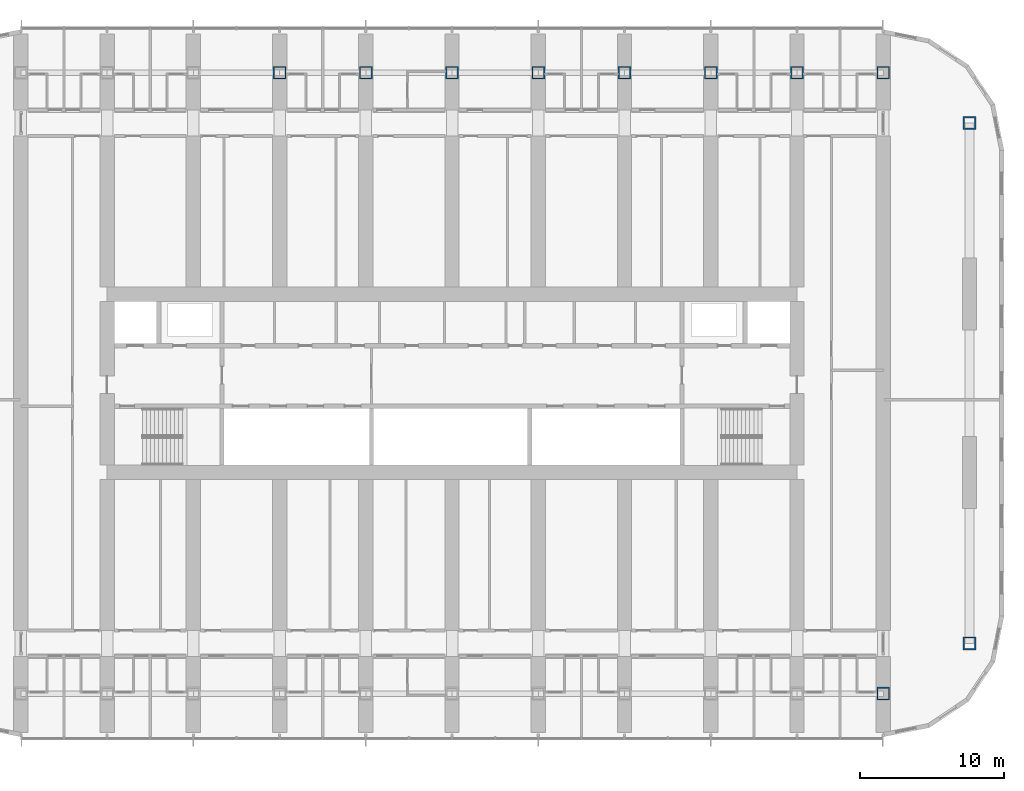
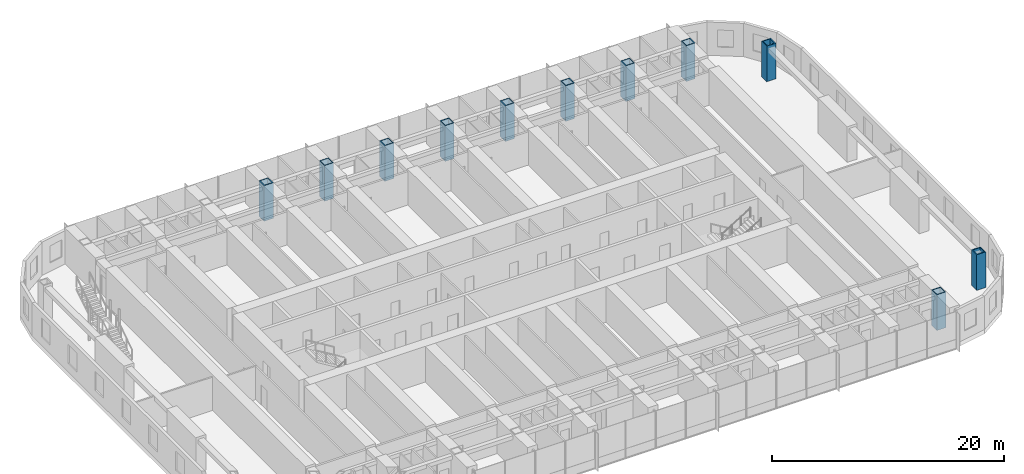
# One storey, part 3 of 28: 11 columns.
"""IFC4 building model written with IfcOpenShell, lengths in metres."""

from ifc_helpers import new_model, si_unit, direction, frame, origin, origin_2d, place, context, subcontext, project, spatial, hollow_rectangle, extrude, material, material_profile, profile_set, type_object, element, save


model = new_model("IFC4")

# Units and contexts
model_context = context("Model", 3, precision=1e-05, world=origin(), true_north=direction((0.0, 1.0)))
body_context = subcontext(model_context, "Body", "Model", "MODEL_VIEW")
ifc_project = project(units=[si_unit("LENGTHUNIT", "METRE"), si_unit("AREAUNIT", "SQUARE_METRE"), si_unit("VOLUMEUNIT", "CUBIC_METRE"), si_unit("PLANEANGLEUNIT", "RADIAN"), si_unit("MASSUNIT", "GRAM", prefix="KILO")], contexts=[model_context])

# Site, building, storey
site_placement = place(None, origin())
site = spatial("IfcSite", under=ifc_project, at=site_placement, CompositionType="ELEMENT")
building_placement = place(site_placement, origin())
building = spatial("IfcBuilding", under=site, at=building_placement, Name="Orbita Commons", CompositionType="ELEMENT")
storey_placement = place(building_placement, frame((0.0, 0.0, 23.949951171875)))
storey = spatial("IfcBuildingStorey", under=building, at=storey_placement, Name="L05", CompositionType="ELEMENT", Elevation=23.949951171875)

# Columns
ifc_material = material(Name="Steel ASTM A572 Gr 50 welded plate", Category="steel")
ifc_material_profile = material_profile(ifc_material, hollow_rectangle(XDim=0.89990234375, YDim=0.89990234375, WallThickness=0.090087890625, at=origin_2d()), Name="BOX 900x900x90")
ifc_profile_set = profile_set([ifc_material_profile], Name="Steel ASTM A572 Gr 50 welded plate")
column_type = type_object("IfcColumnType", Name="Steel column BOX 900x900x90", PredefinedType="COLUMN", material=ifc_profile_set)
for number, where, z_axis, x_axis, name in (
    (1, (30.0, 53.60009765625, 0.0), (0.0, 0.0, 1.0), (1.0, 0.0, 0.0), "Column 6/E L05"),
    (2, (36.0, 53.60009765625, 0.0), (0.0, 0.0, 1.0), (1.0, 0.0, 0.0), "Column 7/E L05"),
    (3, (42.0, 53.60009765625, 0.0), (0.0, 0.0, 1.0), (1.0, 0.0, 0.0), "Column 8/E L05"),
    (4, (48.0, 53.60009765625, 0.0), (0.0, 0.0, 1.0), (1.0, 0.0, 0.0), "Column 9/E L05"),
    (5, (54.0, 53.60009765625, 0.0), (0.0, 0.0, 1.0), (1.0, 0.0, 0.0), "Column 10/E L05"),
    (6, (60.0, 53.60009765625, 0.0), (0.0, 0.0, 1.0), (1.0, 0.0, 0.0), "Column 11/E L05"),
    (7, (66.0, 53.60009765625, 0.0), (0.0, 0.0, 1.0), (1.0, 0.0, 0.0), "Column 12/E L05"),
    (8, (72.0, 10.39990234375, 0.0), (0.0, 0.0, 1.0), (1.0, 0.0, 0.0), "Column 13/B L05"),
    (9, (72.0, 53.60009765625, 0.0), (0.0, 0.0, 1.0), (1.0, 0.0, 0.0), "Column 13/E L05"),
    (10, (78.0, 13.89990234375, 0.0), (0.0, 0.0, 1.0), (1.0, 0.0, 0.0), "Column 14/13.9 L05"),
    (11, (78.0, 50.10009765625, 0.0), (0.0, 0.0, 1.0), (1.0, 0.0, 0.0), "Column 14/50.1 L05"),
):
    element("IfcColumn", number, at=place(storey_placement, frame(where, z_axis=z_axis, x_axis=x_axis)), inside=storey, type_object=column_type, Name=name, PredefinedType="COLUMN", context=body_context, shape_type="SweptSolid", body=[
        extrude(hollow_rectangle(XDim=0.89990234375, YDim=0.89990234375, WallThickness=0.090087890625, at=origin_2d()), origin(), (0.0, 0.0, 1.0), 3.75),
    ])

save(model, "model.ifc")
